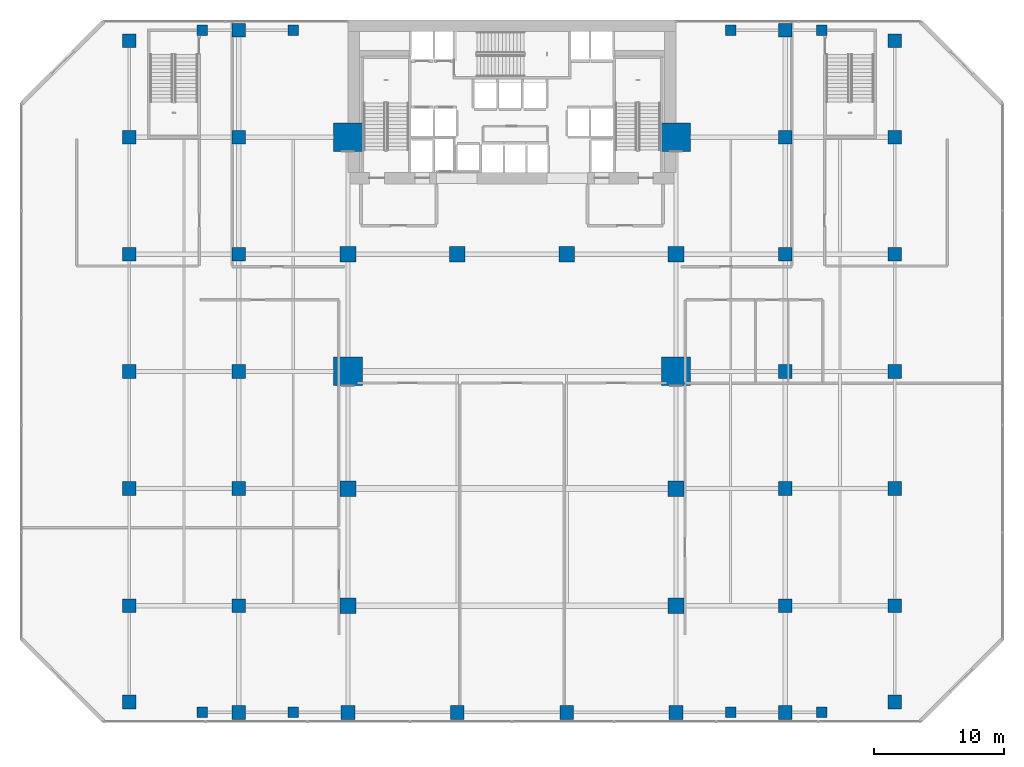
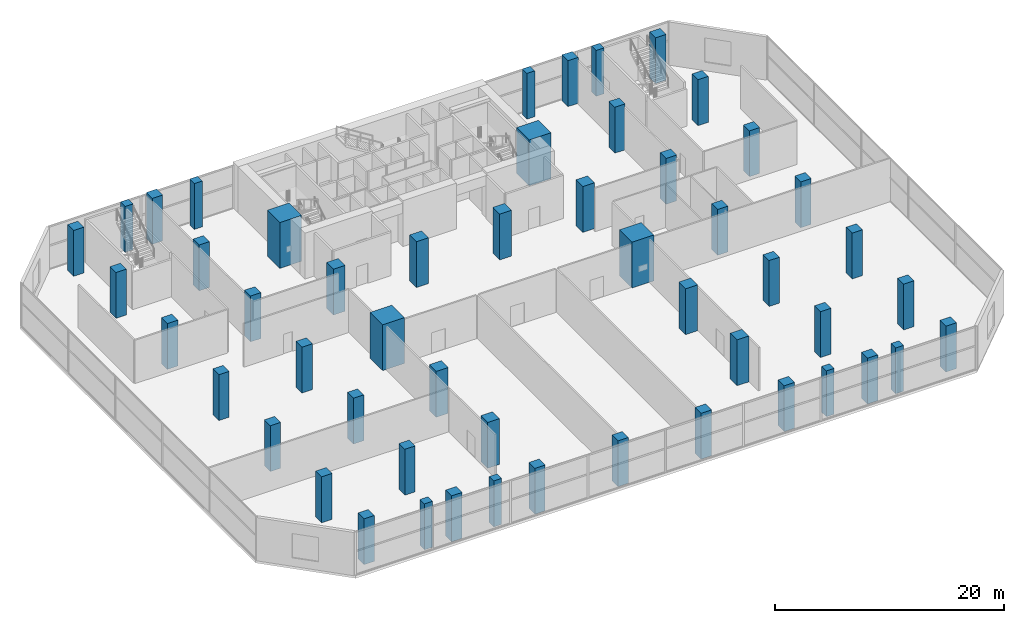
# One storey, part 1 of 39: 52 columns.
"""IFC4 building model written with IfcOpenShell, lengths in metres."""

from ifc_helpers import new_model, si_unit, direction, frame, origin, origin_2d, place, context, subcontext, project, spatial, rectangle, extrude, material, material_profile, profile_set, type_object, element, save


model = new_model("IFC4")

# Units and contexts
model_context = context("Model", 3, precision=1e-05, world=origin(), true_north=direction((0.0, 1.0)))
body_context = subcontext(model_context, "Body", "Model", "MODEL_VIEW")
ifc_project = project(units=[si_unit("LENGTHUNIT", "METRE"), si_unit("AREAUNIT", "SQUARE_METRE"), si_unit("VOLUMEUNIT", "CUBIC_METRE"), si_unit("PLANEANGLEUNIT", "RADIAN"), si_unit("MASSUNIT", "GRAM", prefix="KILO")], contexts=[model_context])

# Site, building, storey
site_placement = place(None, origin())
site = spatial("IfcSite", under=ifc_project, at=site_placement, CompositionType="ELEMENT")
building_placement = place(site_placement, origin())
building = spatial("IfcBuilding", under=site, at=building_placement, Name="Maruvema Waterfront Hotel and Observation Tower", CompositionType="ELEMENT")
storey_placement = place(building_placement, frame((0.0, 0.0, 16.449951171875)))
storey = spatial("IfcBuildingStorey", under=building, at=storey_placement, Name="L03", CompositionType="ELEMENT", Elevation=16.449951171875)

# Columns
ifc_material_1 = material(Name="Concrete C80/95", Category="concrete")
ifc_material_profile_1 = material_profile(ifc_material_1, rectangle(XDim=2.199951171875, YDim=2.199951171875, at=origin_2d()), Name="MC2200x2200")
ifc_profile_set_1 = profile_set([ifc_material_profile_1], Name="Concrete C80/95")
column_type_1 = type_object("IfcColumnType", Name="Continuous Mega-Column MC2200x2200", PredefinedType="COLUMN", material=ifc_profile_set_1)
for number, where, z_axis, x_axis, name in (
    (1, (25.199951171875, 27.0, 0.0), (0.0, 0.0, 1.0), (1.0, 0.0, 0.0), "L03 Continuous Mega-Column MC-01"),
    (2, (50.39990234375, 27.0, 0.0), (0.0, 0.0, 1.0), (1.0, 0.0, 0.0), "L03 Continuous Mega-Column MC-02"),
    (3, (25.199951171875, 45.0, 0.0), (0.0, 0.0, 1.0), (1.0, 0.0, 0.0), "L03 Continuous Mega-Column MC-03"),
    (4, (50.39990234375, 45.0, 0.0), (0.0, 0.0, 1.0), (1.0, 0.0, 0.0), "L03 Continuous Mega-Column MC-04"),
):
    element("IfcColumn", number, at=place(storey_placement, frame(where, z_axis=z_axis, x_axis=x_axis)), inside=storey, type_object=column_type_1, Name=name, PredefinedType="COLUMN", context=body_context, shape_type="SweptSolid", body=[
        extrude(rectangle(XDim=2.199951171875, YDim=2.199951171875, at=origin_2d()), origin(), (0.0, 0.0, 1.0), 4.900146484375),
    ])
ifc_material_2 = material(Name="Concrete C60/75", Category="concrete")
ifc_material_profile_2 = material_profile(ifc_material_2, rectangle(XDim=1.050048828125, YDim=1.050048828125, at=origin_2d()), Name="RC1050x1050")
ifc_profile_set_2 = profile_set([ifc_material_profile_2], Name="Concrete C60/75")
column_type_2 = type_object("IfcColumnType", Name="Reinforced Concrete Column RC1050x1050", PredefinedType="COLUMN", material=ifc_profile_set_2)
for number, where, z_axis, x_axis, name in (
    (5, (16.800048828125, 9.0, 0.0), (0.0, 0.0, 1.0), (1.0, 0.0, 0.0), "L03 Column C-3Y9"),
    (6, (58.800048828125, 9.0, 0.0), (0.0, 0.0, 1.0), (1.0, 0.0, 0.0), "L03 Column C-8Y9"),
    (7, (16.800048828125, 18.0, 0.0), (0.0, 0.0, 1.0), (1.0, 0.0, 0.0), "L03 Column C-3Y18"),
    (8, (58.800048828125, 18.0, 0.0), (0.0, 0.0, 1.0), (1.0, 0.0, 0.0), "L03 Column C-8Y18"),
    (9, (16.800048828125, 27.0, 0.0), (0.0, 0.0, 1.0), (1.0, 0.0, 0.0), "L03 Column C-3Y27"),
    (10, (58.800048828125, 27.0, 0.0), (0.0, 0.0, 1.0), (1.0, 0.0, 0.0), "L03 Column C-8Y27"),
    (11, (16.800048828125, 36.0, 0.0), (0.0, 0.0, 1.0), (1.0, 0.0, 0.0), "L03 Column C-3Y36"),
    (12, (58.800048828125, 36.0, 0.0), (0.0, 0.0, 1.0), (1.0, 0.0, 0.0), "L03 Column C-8Y36"),
    (13, (16.800048828125, 45.0, 0.0), (0.0, 0.0, 1.0), (1.0, 0.0, 0.0), "L03 Column C-3Y45"),
    (14, (58.800048828125, 45.0, 0.0), (0.0, 0.0, 1.0), (1.0, 0.0, 0.0), "L03 Column C-8Y45"),
    (15, (8.39990234375, 1.60009765625, 0.0), (0.0, 0.0, 1.0), (1.0, 0.0, 0.0), "L03 Column C-2A"),
    (16, (67.199951171875, 1.60009765625, 0.0), (0.0, 0.0, 1.0), (1.0, 0.0, 0.0), "L03 Column C-9A"),
    (17, (8.39990234375, 9.0, 0.0), (0.0, 0.0, 1.0), (1.0, 0.0, 0.0), "L03 Column C-2B"),
    (18, (67.199951171875, 9.0, 0.0), (0.0, 0.0, 1.0), (1.0, 0.0, 0.0), "L03 Column C-9B"),
    (19, (8.39990234375, 18.0, 0.0), (0.0, 0.0, 1.0), (1.0, 0.0, 0.0), "L03 Column C-2C"),
    (20, (67.199951171875, 18.0, 0.0), (0.0, 0.0, 1.0), (1.0, 0.0, 0.0), "L03 Column C-9C"),
    (21, (8.39990234375, 27.0, 0.0), (0.0, 0.0, 1.0), (1.0, 0.0, 0.0), "L03 Column C-2D"),
    (22, (67.199951171875, 27.0, 0.0), (0.0, 0.0, 1.0), (1.0, 0.0, 0.0), "L03 Column C-9D"),
    (23, (8.39990234375, 36.0, 0.0), (0.0, 0.0, 1.0), (1.0, 0.0, 0.0), "L03 Column C-2E"),
    (24, (67.199951171875, 36.0, 0.0), (0.0, 0.0, 1.0), (1.0, 0.0, 0.0), "L03 Column C-9E"),
    (25, (8.39990234375, 45.0, 0.0), (0.0, 0.0, 1.0), (1.0, 0.0, 0.0), "L03 Column C-2F"),
    (26, (67.199951171875, 45.0, 0.0), (0.0, 0.0, 1.0), (1.0, 0.0, 0.0), "L03 Column C-9F"),
    (27, (8.39990234375, 52.39990234375, 0.0), (0.0, 0.0, 1.0), (1.0, 0.0, 0.0), "L03 Column C-2G"),
    (28, (67.199951171875, 52.39990234375, 0.0), (0.0, 0.0, 1.0), (1.0, 0.0, 0.0), "L03 Column C-9G"),
    (29, (16.800048828125, 0.800048828125, 0.0), (0.0, 0.0, 1.0), (1.0, 0.0, 0.0), "L03 Column C-3A"),
    (30, (25.199951171875, 0.800048828125, 0.0), (0.0, 0.0, 1.0), (1.0, 0.0, 0.0), "L03 Column C-4A"),
    (31, (33.60009765625, 0.800048828125, 0.0), (0.0, 0.0, 1.0), (1.0, 0.0, 0.0), "L03 Column C-5A"),
    (32, (42.0, 0.800048828125, 0.0), (0.0, 0.0, 1.0), (1.0, 0.0, 0.0), "L03 Column C-6A"),
    (33, (50.39990234375, 0.800048828125, 0.0), (0.0, 0.0, 1.0), (1.0, 0.0, 0.0), "L03 Column C-7A"),
    (34, (58.800048828125, 0.800048828125, 0.0), (0.0, 0.0, 1.0), (1.0, 0.0, 0.0), "L03 Column C-8A"),
    (35, (16.800048828125, 53.199951171875, 0.0), (0.0, 0.0, 1.0), (1.0, 0.0, 0.0), "L03 Column C-3G"),
    (36, (58.800048828125, 53.199951171875, 0.0), (0.0, 0.0, 1.0), (1.0, 0.0, 0.0), "L03 Column C-8G"),
):
    element("IfcColumn", number, at=place(storey_placement, frame(where, z_axis=z_axis, x_axis=x_axis)), inside=storey, type_object=column_type_2, Name=name, PredefinedType="COLUMN", context=body_context, shape_type="SweptSolid", body=[
        extrude(rectangle(XDim=1.050048828125, YDim=1.050048828125, at=origin_2d()), origin(), (0.0, 0.0, 1.0), 4.900146484375),
    ])
ifc_material_3 = material(Name="Concrete C60/75", Category="concrete")
ifc_material_profile_3 = material_profile(ifc_material_3, rectangle(XDim=1.199951171875, YDim=1.199951171875, at=origin_2d()), Name="RC1200x1200")
ifc_profile_set_3 = profile_set([ifc_material_profile_3], Name="Concrete C60/75")
column_type_3 = type_object("IfcColumnType", Name="Reinforced Concrete Column RC1200x1200", PredefinedType="COLUMN", material=ifc_profile_set_3)
for number, where, z_axis, x_axis, name in (
    (37, (25.199951171875, 36.0, 0.0), (0.0, 0.0, 1.0), (1.0, 0.0, 0.0), "L03 Column C-4E"),
    (38, (33.60009765625, 36.0, 0.0), (0.0, 0.0, 1.0), (1.0, 0.0, 0.0), "L03 Column C-5E"),
    (39, (42.0, 36.0, 0.0), (0.0, 0.0, 1.0), (1.0, 0.0, 0.0), "L03 Column C-6E"),
    (40, (50.39990234375, 36.0, 0.0), (0.0, 0.0, 1.0), (1.0, 0.0, 0.0), "L03 Column C-7E"),
    (41, (25.199951171875, 18.0, 0.0), (0.0, 0.0, 1.0), (1.0, 0.0, 0.0), "L03 Column C-4C"),
    (42, (50.39990234375, 18.0, 0.0), (0.0, 0.0, 1.0), (1.0, 0.0, 0.0), "L03 Column C-7C"),
    (43, (25.199951171875, 9.0, 0.0), (0.0, 0.0, 1.0), (1.0, 0.0, 0.0), "L03 Column C-4B"),
    (44, (50.39990234375, 9.0, 0.0), (0.0, 0.0, 1.0), (1.0, 0.0, 0.0), "L03 Column C-7B"),
):
    element("IfcColumn", number, at=place(storey_placement, frame(where, z_axis=z_axis, x_axis=x_axis)), inside=storey, type_object=column_type_3, Name=name, PredefinedType="COLUMN", context=body_context, shape_type="SweptSolid", body=[
        extrude(rectangle(XDim=1.199951171875, YDim=1.199951171875, at=origin_2d()), origin(), (0.0, 0.0, 1.0), 4.900146484375),
    ])
ifc_material_4 = material(Name="Concrete C60/75", Category="concrete")
ifc_material_profile_4 = material_profile(ifc_material_4, rectangle(XDim=0.800048828125, YDim=0.800048828125, at=origin_2d()), Name="RC800x800")
ifc_profile_set_4 = profile_set([ifc_material_profile_4], Name="Concrete C60/75")
column_type_4 = type_object("IfcColumnType", Name="Waterfront Colonnade Pilaster RC800x800", PredefinedType="PILASTER", material=ifc_profile_set_4)
for number, where, z_axis, x_axis, name in (
    (45, (14.0, 0.800048828125, 0.0), (0.0, 0.0, 1.0), (1.0, 0.0, 0.0), "L03 Column PL-S1"),
    (46, (14.0, 53.199951171875, 0.0), (0.0, 0.0, 1.0), (1.0, 0.0, 0.0), "L03 Column PL-N1"),
    (47, (21.0, 0.800048828125, 0.0), (0.0, 0.0, 1.0), (1.0, 0.0, 0.0), "L03 Column PL-S2"),
    (48, (21.0, 53.199951171875, 0.0), (0.0, 0.0, 1.0), (1.0, 0.0, 0.0), "L03 Column PL-N2"),
    (49, (54.60009765625, 0.800048828125, 0.0), (0.0, 0.0, 1.0), (1.0, 0.0, 0.0), "L03 Column PL-S3"),
    (50, (54.60009765625, 53.199951171875, 0.0), (0.0, 0.0, 1.0), (1.0, 0.0, 0.0), "L03 Column PL-N3"),
    (51, (61.60009765625, 0.800048828125, 0.0), (0.0, 0.0, 1.0), (1.0, 0.0, 0.0), "L03 Column PL-S4"),
    (52, (61.60009765625, 53.199951171875, 0.0), (0.0, 0.0, 1.0), (1.0, 0.0, 0.0), "L03 Column PL-N4"),
):
    element("IfcColumn", number, at=place(storey_placement, frame(where, z_axis=z_axis, x_axis=x_axis)), inside=storey, type_object=column_type_4, Name=name, PredefinedType="PILASTER", context=body_context, shape_type="SweptSolid", body=[
        extrude(rectangle(XDim=0.800048828125, YDim=0.800048828125, at=origin_2d()), origin(), (0.0, 0.0, 1.0), 4.900146484375),
    ])

save(model, "model.ifc")
